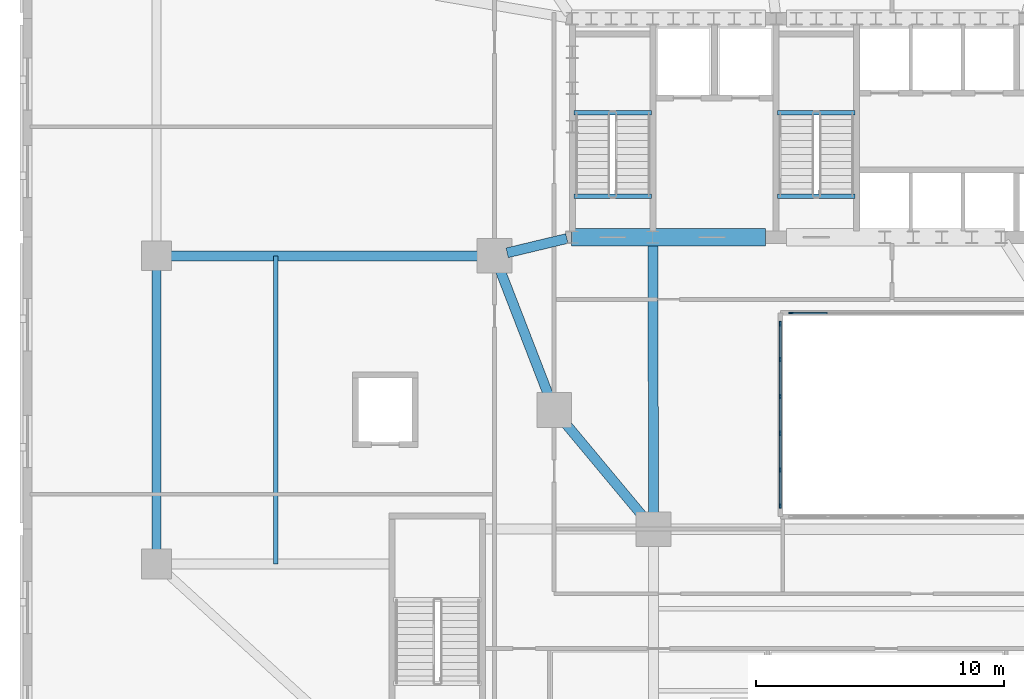
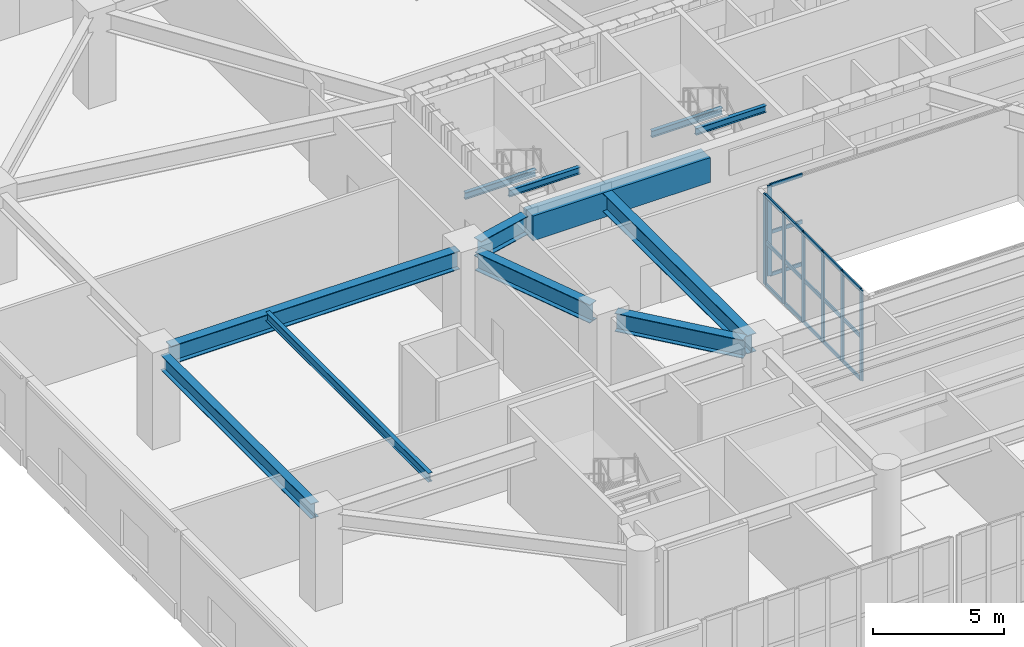
# One storey, part 4 of 25: 25 members, 12 beams, 2 elements without a shape of their own.
"""IFC4 building model written with IfcOpenShell, lengths in metres."""

from ifc_helpers import new_model, si_unit, direction, frame, origin, origin_2d, place, context, subcontext, project, spatial, rectangle, i_section, extrude, material, material_profile, profile_set, type_object, element, aggregate, save


model = new_model("IFC4")

# Units and contexts
model_context = context("Model", 3, precision=1e-05, world=origin(), true_north=direction((0.0, 1.0)))
body_context = subcontext(model_context, "Body", "Model", "MODEL_VIEW")
ifc_project = project(units=[si_unit("LENGTHUNIT", "METRE"), si_unit("AREAUNIT", "SQUARE_METRE"), si_unit("VOLUMEUNIT", "CUBIC_METRE"), si_unit("PLANEANGLEUNIT", "RADIAN"), si_unit("MASSUNIT", "GRAM", prefix="KILO")], contexts=[model_context])

# Site, building, storey
site_placement = place(None, origin())
site = spatial("IfcSite", under=ifc_project, at=site_placement, CompositionType="ELEMENT")
building_placement = place(site_placement, origin())
building = spatial("IfcBuilding", under=site, at=building_placement, Name="Haldorwick Loom Tower", CompositionType="ELEMENT")
storey_placement = place(building_placement, frame((0.0, 0.0, 15.0)))
storey = spatial("IfcBuildingStorey", under=building, at=storey_placement, Name="L03", CompositionType="ELEMENT", Elevation=15.0)

# Curtain wall, member
ifc_material_1 = material(Name="Thermally Broken Anodized Aluminium Curtain Wall Framing", Category="aluminium")
curtain_wall_type = type_object("IfcCurtainWallType", Name="ARC-CW-03", PredefinedType="NOTDEFINED", material=ifc_material_1)
curtain_wall_1_placement = place(storey_placement, origin())
curtain_wall_1 = element("IfcCurtainWall", 1, at=curtain_wall_1_placement, inside=storey, type_object=curtain_wall_type, Name="L03 Atrium Glazed Screen N", PredefinedType="NOTDEFINED")
ifc_material_profile_1 = material_profile(ifc_material_1, rectangle(XDim=0.06591796875, YDim=0.18505859375, at=origin_2d()), Name="ALU_MUL_66X185", Category="aluminium")
ifc_profile_set_1 = profile_set([ifc_material_profile_1], Name="Thermally Broken Anodized Aluminium Curtain Wall Framing")
member_type_1 = type_object("IfcMemberType", Name="ARC-CWM-03", PredefinedType="MULLION", material=ifc_profile_set_1)
member_1_placement = place(storey_placement, frame((30.73291015625, 23.699951171875, 0.0), z_axis=(0.0, 0.0, 1.0), x_axis=(0.0, 1.0, 0.0)))
member_1 = element("IfcMember", 2, at=member_1_placement, type_object=member_type_1, Name="CW-03 mullion 1", PredefinedType="MULLION", context=body_context, shape_type="SweptSolid", body=[
    extrude(rectangle(XDim=0.06591796875, YDim=0.18505859375, at=origin_2d()), origin(), (0.0, 0.0, 1.0), 4.199951171875),
])

# Curtain wall, members
curtain_wall_2_placement = place(storey_placement, origin())
curtain_wall_2 = element("IfcCurtainWall", 3, at=curtain_wall_2_placement, inside=storey, type_object=curtain_wall_type, Name="L03 Atrium Glazed Screen W", PredefinedType="NOTDEFINED")
member_2_placement = place(storey_placement, frame((30.300048828125, 15.93310546875, 0.0), z_axis=(0.0, 0.0, 1.0), x_axis=(-1.0, 0.0, 0.0)))
member_2 = element("IfcMember", 4, at=member_2_placement, type_object=member_type_1, Name="CW-03 mullion 1", PredefinedType="MULLION", context=body_context, shape_type="SweptSolid", body=[
    extrude(rectangle(XDim=0.06591796875, YDim=0.18505859375, at=origin_2d()), origin(), (0.0, 0.0, 1.0), 4.199951171875),
])
member_3_placement = place(storey_placement, frame((30.300048828125, 17.3798828125, 0.0), z_axis=(0.0, 0.0, 1.0), x_axis=(-1.0, 0.0, 0.0)))
member_3 = element("IfcMember", 5, at=member_3_placement, type_object=member_type_1, Name="CW-03 mullion 2", PredefinedType="MULLION", context=body_context, shape_type="SweptSolid", body=[
    extrude(rectangle(XDim=0.06591796875, YDim=0.18505859375, at=origin_2d()), origin(), (0.0, 0.0, 1.0), 4.199951171875),
])
member_4_placement = place(storey_placement, frame((30.300048828125, 18.860107421875, 0.0), z_axis=(0.0, 0.0, 1.0), x_axis=(-1.0, 0.0, 0.0)))
member_4 = element("IfcMember", 6, at=member_4_placement, type_object=member_type_1, Name="CW-03 mullion 3", PredefinedType="MULLION", context=body_context, shape_type="SweptSolid", body=[
    extrude(rectangle(XDim=0.06591796875, YDim=0.18505859375, at=origin_2d()), origin(), (0.0, 0.0, 1.0), 4.199951171875),
])
member_5_placement = place(storey_placement, frame((30.300048828125, 20.340087890625, 0.0), z_axis=(0.0, 0.0, 1.0), x_axis=(-1.0, 0.0, 0.0)))
member_5 = element("IfcMember", 7, at=member_5_placement, type_object=member_type_1, Name="CW-03 mullion 4", PredefinedType="MULLION", context=body_context, shape_type="SweptSolid", body=[
    extrude(rectangle(XDim=0.06591796875, YDim=0.18505859375, at=origin_2d()), origin(), (0.0, 0.0, 1.0), 4.199951171875),
])
member_6_placement = place(storey_placement, frame((30.300048828125, 21.820068359375, 0.0), z_axis=(0.0, 0.0, 1.0), x_axis=(-1.0, 0.0, 0.0)))
member_6 = element("IfcMember", 8, at=member_6_placement, type_object=member_type_1, Name="CW-03 mullion 5", PredefinedType="MULLION", context=body_context, shape_type="SweptSolid", body=[
    extrude(rectangle(XDim=0.06591796875, YDim=0.18505859375, at=origin_2d()), origin(), (0.0, 0.0, 1.0), 4.199951171875),
])
member_7_placement = place(storey_placement, frame((30.300048828125, 23.26708984375, 0.0), z_axis=(0.0, 0.0, 1.0), x_axis=(-1.0, 0.0, 0.0)))
member_7 = element("IfcMember", 9, at=member_7_placement, type_object=member_type_1, Name="CW-03 mullion 6", PredefinedType="MULLION", context=body_context, shape_type="SweptSolid", body=[
    extrude(rectangle(XDim=0.06591796875, YDim=0.18505859375, at=origin_2d()), origin(), (0.0, 0.0, 1.0), 4.199951171875),
])

# Member
ifc_material_profile_2 = material_profile(ifc_material_1, rectangle(XDim=0.06591796875, YDim=0.1650390625, at=origin_2d()), Name="ALU_TRN_66X165", Category="aluminium")
ifc_profile_set_2 = profile_set([ifc_material_profile_2], Name="Thermally Broken Anodized Aluminium Curtain Wall Framing")
member_type_2 = type_object("IfcMemberType", Name="ARC-CWT-03", PredefinedType="USERDEFINED", material=ifc_profile_set_2)
member_8_placement = place(storey_placement, frame((30.76611328125, 23.699951171875, 0.032958984375), z_axis=(1.0, 0.0, 0.0), x_axis=(0.0, 1.0, 0.0)))
member_8 = element("IfcMember", 10, at=member_8_placement, type_object=member_type_2, Name="CW-03 transom 1.1", ObjectType="TRANSOM", PredefinedType="USERDEFINED", context=body_context, shape_type="SweptSolid", body=[
    extrude(rectangle(XDim=0.06591796875, YDim=0.1650390625, at=origin_2d()), origin(), (0.0, 0.0, 1.0), 1.415283203125),
])

member_9_placement = place(storey_placement, frame((30.76611328125, 23.699951171875, 2.0), z_axis=(1.0, 0.0, 0.0), x_axis=(0.0, 1.0, 0.0)))
member_9 = element("IfcMember", 11, at=member_9_placement, type_object=member_type_2, Name="CW-03 transom 1.2", ObjectType="TRANSOM", PredefinedType="USERDEFINED", context=body_context, shape_type="SweptSolid", body=[
    extrude(rectangle(XDim=0.06591796875, YDim=0.1650390625, at=origin_2d()), origin(), (0.0, 0.0, 1.0), 1.415283203125),
])

member_10_placement = place(storey_placement, frame((30.76611328125, 23.699951171875, 4.1669921875), z_axis=(1.0, 0.0, 0.0), x_axis=(0.0, 1.0, 0.0)))
member_10 = element("IfcMember", 12, at=member_10_placement, type_object=member_type_2, Name="CW-03 transom 1.3", ObjectType="TRANSOM", PredefinedType="USERDEFINED", context=body_context, shape_type="SweptSolid", body=[
    extrude(rectangle(XDim=0.06591796875, YDim=0.1650390625, at=origin_2d()), origin(), (0.0, 0.0, 1.0), 1.415283203125),
])

aggregate(curtain_wall_1, [member_1, member_8, member_9, member_10])

member_11_placement = place(storey_placement, frame((30.300048828125, 15.966064453125, 0.032958984375), z_axis=(0.0, 1.0, 0.0), x_axis=(-1.0, 0.0, 0.0)))
member_11 = element("IfcMember", 13, at=member_11_placement, type_object=member_type_2, Name="CW-03 transom 1.1", ObjectType="TRANSOM", PredefinedType="USERDEFINED", context=body_context, shape_type="SweptSolid", body=[
    extrude(rectangle(XDim=0.06591796875, YDim=0.1650390625, at=origin_2d()), origin(), (0.0, 0.0, 1.0), 1.380859375),
])

member_12_placement = place(storey_placement, frame((30.300048828125, 15.966064453125, 2.0), z_axis=(0.0, 1.0, 0.0), x_axis=(-1.0, 0.0, 0.0)))
member_12 = element("IfcMember", 14, at=member_12_placement, type_object=member_type_2, Name="CW-03 transom 1.2", ObjectType="TRANSOM", PredefinedType="USERDEFINED", context=body_context, shape_type="SweptSolid", body=[
    extrude(rectangle(XDim=0.06591796875, YDim=0.1650390625, at=origin_2d()), origin(), (0.0, 0.0, 1.0), 1.380859375),
])

member_13_placement = place(storey_placement, frame((30.300048828125, 15.966064453125, 4.1669921875), z_axis=(0.0, 1.0, 0.0), x_axis=(-1.0, 0.0, 0.0)))
member_13 = element("IfcMember", 15, at=member_13_placement, type_object=member_type_2, Name="CW-03 transom 1.3", ObjectType="TRANSOM", PredefinedType="USERDEFINED", context=body_context, shape_type="SweptSolid", body=[
    extrude(rectangle(XDim=0.06591796875, YDim=0.1650390625, at=origin_2d()), origin(), (0.0, 0.0, 1.0), 1.380859375),
])

member_14_placement = place(storey_placement, frame((30.300048828125, 17.4130859375, 0.032958984375), z_axis=(0.0, 1.0, 0.0), x_axis=(-1.0, 0.0, 0.0)))
member_14 = element("IfcMember", 16, at=member_14_placement, type_object=member_type_2, Name="CW-03 transom 2.1", ObjectType="TRANSOM", PredefinedType="USERDEFINED", context=body_context, shape_type="SweptSolid", body=[
    extrude(rectangle(XDim=0.06591796875, YDim=0.1650390625, at=origin_2d()), origin(), (0.0, 0.0, 1.0), 1.413818359375),
])

member_15_placement = place(storey_placement, frame((30.300048828125, 17.4130859375, 2.0), z_axis=(0.0, 1.0, 0.0), x_axis=(-1.0, 0.0, 0.0)))
member_15 = element("IfcMember", 17, at=member_15_placement, type_object=member_type_2, Name="CW-03 transom 2.2", ObjectType="TRANSOM", PredefinedType="USERDEFINED", context=body_context, shape_type="SweptSolid", body=[
    extrude(rectangle(XDim=0.06591796875, YDim=0.1650390625, at=origin_2d()), origin(), (0.0, 0.0, 1.0), 1.413818359375),
])

member_16_placement = place(storey_placement, frame((30.300048828125, 17.4130859375, 4.1669921875), z_axis=(0.0, 1.0, 0.0), x_axis=(-1.0, 0.0, 0.0)))
member_16 = element("IfcMember", 18, at=member_16_placement, type_object=member_type_2, Name="CW-03 transom 2.3", ObjectType="TRANSOM", PredefinedType="USERDEFINED", context=body_context, shape_type="SweptSolid", body=[
    extrude(rectangle(XDim=0.06591796875, YDim=0.1650390625, at=origin_2d()), origin(), (0.0, 0.0, 1.0), 1.413818359375),
])

member_17_placement = place(storey_placement, frame((30.300048828125, 18.89306640625, 0.032958984375), z_axis=(0.0, 1.0, 0.0), x_axis=(-1.0, 0.0, 0.0)))
member_17 = element("IfcMember", 19, at=member_17_placement, type_object=member_type_2, Name="CW-03 transom 3.1", ObjectType="TRANSOM", PredefinedType="USERDEFINED", context=body_context, shape_type="SweptSolid", body=[
    extrude(rectangle(XDim=0.06591796875, YDim=0.1650390625, at=origin_2d()), origin(), (0.0, 0.0, 1.0), 1.413818359375),
])

member_18_placement = place(storey_placement, frame((30.300048828125, 18.89306640625, 2.0), z_axis=(0.0, 1.0, 0.0), x_axis=(-1.0, 0.0, 0.0)))
member_18 = element("IfcMember", 20, at=member_18_placement, type_object=member_type_2, Name="CW-03 transom 3.2", ObjectType="TRANSOM", PredefinedType="USERDEFINED", context=body_context, shape_type="SweptSolid", body=[
    extrude(rectangle(XDim=0.06591796875, YDim=0.1650390625, at=origin_2d()), origin(), (0.0, 0.0, 1.0), 1.413818359375),
])

member_19_placement = place(storey_placement, frame((30.300048828125, 18.89306640625, 4.1669921875), z_axis=(0.0, 1.0, 0.0), x_axis=(-1.0, 0.0, 0.0)))
member_19 = element("IfcMember", 21, at=member_19_placement, type_object=member_type_2, Name="CW-03 transom 3.3", ObjectType="TRANSOM", PredefinedType="USERDEFINED", context=body_context, shape_type="SweptSolid", body=[
    extrude(rectangle(XDim=0.06591796875, YDim=0.1650390625, at=origin_2d()), origin(), (0.0, 0.0, 1.0), 1.413818359375),
])

member_20_placement = place(storey_placement, frame((30.300048828125, 20.373046875, 0.032958984375), z_axis=(0.0, 1.0, 0.0), x_axis=(-1.0, 0.0, 0.0)))
member_20 = element("IfcMember", 22, at=member_20_placement, type_object=member_type_2, Name="CW-03 transom 4.1", ObjectType="TRANSOM", PredefinedType="USERDEFINED", context=body_context, shape_type="SweptSolid", body=[
    extrude(rectangle(XDim=0.06591796875, YDim=0.1650390625, at=origin_2d()), origin(), (0.0, 0.0, 1.0), 1.4140625),
])

member_21_placement = place(storey_placement, frame((30.300048828125, 20.373046875, 2.0), z_axis=(0.0, 1.0, 0.0), x_axis=(-1.0, 0.0, 0.0)))
member_21 = element("IfcMember", 23, at=member_21_placement, type_object=member_type_2, Name="CW-03 transom 4.2", ObjectType="TRANSOM", PredefinedType="USERDEFINED", context=body_context, shape_type="SweptSolid", body=[
    extrude(rectangle(XDim=0.06591796875, YDim=0.1650390625, at=origin_2d()), origin(), (0.0, 0.0, 1.0), 1.4140625),
])

member_22_placement = place(storey_placement, frame((30.300048828125, 20.373046875, 4.1669921875), z_axis=(0.0, 1.0, 0.0), x_axis=(-1.0, 0.0, 0.0)))
member_22 = element("IfcMember", 24, at=member_22_placement, type_object=member_type_2, Name="CW-03 transom 4.3", ObjectType="TRANSOM", PredefinedType="USERDEFINED", context=body_context, shape_type="SweptSolid", body=[
    extrude(rectangle(XDim=0.06591796875, YDim=0.1650390625, at=origin_2d()), origin(), (0.0, 0.0, 1.0), 1.4140625),
])

member_23_placement = place(storey_placement, frame((30.300048828125, 21.85302734375, 0.032958984375), z_axis=(0.0, 1.0, 0.0), x_axis=(-1.0, 0.0, 0.0)))
member_23 = element("IfcMember", 25, at=member_23_placement, type_object=member_type_2, Name="CW-03 transom 5.1", ObjectType="TRANSOM", PredefinedType="USERDEFINED", context=body_context, shape_type="SweptSolid", body=[
    extrude(rectangle(XDim=0.06591796875, YDim=0.1650390625, at=origin_2d()), origin(), (0.0, 0.0, 1.0), 1.380859375),
])

member_24_placement = place(storey_placement, frame((30.300048828125, 21.85302734375, 2.0), z_axis=(0.0, 1.0, 0.0), x_axis=(-1.0, 0.0, 0.0)))
member_24 = element("IfcMember", 26, at=member_24_placement, type_object=member_type_2, Name="CW-03 transom 5.2", ObjectType="TRANSOM", PredefinedType="USERDEFINED", context=body_context, shape_type="SweptSolid", body=[
    extrude(rectangle(XDim=0.06591796875, YDim=0.1650390625, at=origin_2d()), origin(), (0.0, 0.0, 1.0), 1.380859375),
])

member_25_placement = place(storey_placement, frame((30.300048828125, 21.85302734375, 4.1669921875), z_axis=(0.0, 1.0, 0.0), x_axis=(-1.0, 0.0, 0.0)))
member_25 = element("IfcMember", 27, at=member_25_placement, type_object=member_type_2, Name="CW-03 transom 5.3", ObjectType="TRANSOM", PredefinedType="USERDEFINED", context=body_context, shape_type="SweptSolid", body=[
    extrude(rectangle(XDim=0.06591796875, YDim=0.1650390625, at=origin_2d()), origin(), (0.0, 0.0, 1.0), 1.380859375),
])

aggregate(curtain_wall_2, [member_2, member_3, member_4, member_5, member_6, member_7, member_11, member_12, member_13, member_14, member_15, member_16, member_17, member_18, member_19, member_20, member_21, member_22, member_23, member_24, member_25])

# Beams
ifc_material_2 = material(Name="Concrete C60 (60 MPa)", Category="concrete")
ifc_material_profile_3 = material_profile(ifc_material_2, rectangle(XDim=0.699951171875, YDim=1.14990234375, at=origin_2d()), Name="RC700X1150", Category="concrete")
ifc_profile_set_3 = profile_set([ifc_material_profile_3], Name="Concrete C60 (60 MPa)")
beam_type_1 = type_object("IfcBeamType", Name="STR-BM-CB1150", PredefinedType="LINTEL", material=ifc_profile_set_3)
beam_1_placement = place(storey_placement, frame((21.89990234375, 26.75, 3.625), z_axis=(1.0, 0.0, 0.0), x_axis=(0.0, 1.0, 0.0)))
element("IfcBeam", 28, at=beam_1_placement, inside=storey, type_object=beam_type_1, Name="L03 Core Coupling Beam CB-S1", PredefinedType="LINTEL", context=body_context, shape_type="SweptSolid", body=[
    extrude(rectangle(XDim=0.699951171875, YDim=1.14990234375, at=origin_2d()), origin(), (0.0, 0.0, 1.0), 7.800048828125),
])
ifc_material_3 = material(Name="Steel CSA G40.21 350W", Category="steel")
ifc_material_profile_4 = material_profile(ifc_material_3, i_section(OverallWidth=0.179931640625, OverallDepth=0.4130859375, WebThickness=0.009765625, FlangeThickness=0.01611328125, at=origin_2d()), Name="W410X74", Category="steel")
ifc_profile_set_4 = profile_set([ifc_material_profile_4], Name="Steel CSA G40.21 350W")
beam_type_2 = type_object("IfcBeamType", Name="STR-BM-J410", PredefinedType="JOIST", material=ifc_profile_set_4)
beam_2_placement = place(storey_placement, frame((10.0, 13.60009765625, 3.993408203125), z_axis=(0.0, 1.0, 0.0), x_axis=(-1.0, 0.0, 0.0)))
element("IfcBeam", 29, at=beam_2_placement, inside=storey, type_object=beam_type_2, Name="L03 Podium Secondary Joist PJ-W1", PredefinedType="JOIST", context=body_context, shape_type="SweptSolid", body=[
    extrude(i_section(OverallWidth=0.179931640625, OverallDepth=0.4130859375, WebThickness=0.009765625, FlangeThickness=0.01611328125, at=origin_2d()), origin(), (0.0, 0.0, 1.0), 12.39990234375),
])
ifc_material_profile_5 = material_profile(ifc_material_3, i_section(OverallWidth=0.35498046875, OverallDepth=0.695068359375, WebThickness=0.015380859375, FlangeThickness=0.02490234375, at=origin_2d()), Name="W690X217", Category="steel")
ifc_profile_set_5 = profile_set([ifc_material_profile_5], Name="Steel CSA G40.21 350W")
beam_type_3 = type_object("IfcBeamType", Name="STR-BM-SP690", PredefinedType="SPANDREL", material=ifc_profile_set_5)
beam_3_placement = place(storey_placement, frame((5.199951171875, 25.52001953125, 3.8525390625), z_axis=(0.0, -1.0, 0.0), x_axis=(1.0, 0.0, 0.0)))
element("IfcBeam", 30, at=beam_3_placement, inside=storey, type_object=beam_type_3, Name="L03 Podium Spandrel PSP-W2", PredefinedType="SPANDREL", context=body_context, shape_type="SweptSolid", body=[
    extrude(i_section(OverallWidth=0.35498046875, OverallDepth=0.695068359375, WebThickness=0.015380859375, FlangeThickness=0.02490234375, at=origin_2d()), origin(), (0.0, 0.0, 1.0), 11.43994140625),
])
ifc_material_profile_6 = material_profile(ifc_material_3, i_section(OverallWidth=0.166015625, OverallDepth=0.31298828125, WebThickness=0.006591796875, FlangeThickness=0.01123046875, at=origin_2d()), Name="W310X45", Category="steel")
ifc_profile_set_6 = profile_set([ifc_material_profile_6], Name="Steel CSA G40.21 350W")
beam_type_4 = type_object("IfcBeamType", Name="STR-BM-STRM", PredefinedType="BEAM", material=ifc_profile_set_6)
for number, where, z_axis, x_axis, name in (
    (31, (21.989990234375, 28.39990234375, 4.04345703125), (1.0, 0.0, 0.0), (0.0, 1.0, 0.0), "L03 Stair ST-01 Landing Edge Trimmer"),
    (32, (21.989990234375, 31.760009765625, 1.8935546875), (1.0, 0.0, 0.0), (0.0, 1.0, 0.0), "L03 Stair ST-01 Half-Landing Trimmer 1"),
    (33, (30.18994140625, 28.39990234375, 4.04345703125), (1.0, 0.0, 0.0), (0.0, 1.0, 0.0), "L03 Stair ST-03 Landing Edge Trimmer"),
    (34, (30.18994140625, 31.760009765625, 1.8935546875), (1.0, 0.0, 0.0), (0.0, 1.0, 0.0), "L03 Stair ST-03 Half-Landing Trimmer 1"),
):
    element("IfcBeam", number, at=place(storey_placement, frame(where, z_axis=z_axis, x_axis=x_axis)), inside=storey, type_object=beam_type_4, Name=name, PredefinedType="BEAM", context=body_context, shape_type="SweptSolid", body=[
        extrude(i_section(OverallWidth=0.166015625, OverallDepth=0.31298828125, WebThickness=0.006591796875, FlangeThickness=0.01123046875, at=origin_2d()), origin(), (0.0, 0.0, 1.0), 3.1201171875),
    ])
ifc_material_profile_7 = material_profile(ifc_material_3, i_section(OverallWidth=0.39990234375, OverallDepth=0.85498046875, WebThickness=0.018310546875, FlangeThickness=0.029296875, at=origin_2d()), Name="W840X299", Category="steel")
ifc_profile_set_7 = profile_set([ifc_material_profile_7], Name="Steel CSA G40.21 350W")
beam_type_5 = type_object("IfcBeamType", Name="STR-BM-W840", PredefinedType="BEAM", material=ifc_profile_set_7)
beam_4_placement = place(storey_placement, frame((21.711181640625, 26.697509765625, 3.7724609375), z_axis=(-0.97247055837, -0.233025777764, 0.0), x_axis=(0.233025777764, -0.97247055837, 0.0)))
element("IfcBeam", 35, at=beam_4_placement, inside=storey, type_object=beam_type_5, Name="L03 Podium Inner Girder INW-1", PredefinedType="BEAM", context=body_context, shape_type="SweptSolid", body=[
    extrude(i_section(OverallWidth=0.39990234375, OverallDepth=0.85498046875, WebThickness=0.018310546875, FlangeThickness=0.029296875, at=origin_2d()), origin(), (0.0, 0.0, 1.0), 2.4736328125),
])
beam_5_placement = place(storey_placement, frame((18.98779296875, 25.51513671875, 3.7724609375), z_axis=(0.360964792353, -0.93257944363, 0.0), x_axis=(0.93257944363, 0.360964792353, 0.0)))
element("IfcBeam", 36, at=beam_5_placement, inside=storey, type_object=beam_type_5, Name="L03 Podium Inner Girder INW-2", PredefinedType="BEAM", context=body_context, shape_type="SweptSolid", body=[
    extrude(i_section(OverallWidth=0.39990234375, OverallDepth=0.85498046875, WebThickness=0.018310546875, FlangeThickness=0.029296875, at=origin_2d()), origin(), (0.0, 0.0, 1.0), 5.6083984375),
])
beam_6_placement = place(storey_placement, frame((21.532958984375, 19.400390625, 3.7724609375), z_axis=(0.640193621243, -0.768213594855, 0.0), x_axis=(0.768213594855, 0.640193621243, 0.0)))
element("IfcBeam", 37, at=beam_6_placement, inside=storey, type_object=beam_type_5, Name="L03 Podium Inner Girder INW-3", PredefinedType="BEAM", context=body_context, shape_type="SweptSolid", body=[
    extrude(i_section(OverallWidth=0.39990234375, OverallDepth=0.85498046875, WebThickness=0.018310546875, FlangeThickness=0.029296875, at=origin_2d()), origin(), (0.0, 0.0, 1.0), 5.208251953125),
])
beam_7_placement = place(storey_placement, frame((25.198974609375, 15.449951171875, 3.7724609375), z_axis=(-0.00255714174, 0.999996730508, 0.0), x_axis=(-0.999996730508, -0.00255714174, 0.0)))
element("IfcBeam", 38, at=beam_7_placement, inside=storey, type_object=beam_type_5, Name="L03 Podium Primary Girder PG-04", PredefinedType="BEAM", context=body_context, shape_type="SweptSolid", body=[
    extrude(i_section(OverallWidth=0.39990234375, OverallDepth=0.85498046875, WebThickness=0.018310546875, FlangeThickness=0.029296875, at=origin_2d()), origin(), (0.0, 0.0, 1.0), 11.074951171875),
])
beam_8_placement = place(storey_placement, frame((5.64990234375, 26.0, 3.7724609375), z_axis=(1.0, 0.0, 0.0), x_axis=(0.0, 1.0, 0.0)))
element("IfcBeam", 39, at=beam_8_placement, inside=storey, type_object=beam_type_5, Name="L03 Podium Primary Girder PG-08", PredefinedType="BEAM", context=body_context, shape_type="SweptSolid", body=[
    extrude(i_section(OverallWidth=0.39990234375, OverallDepth=0.85498046875, WebThickness=0.018310546875, FlangeThickness=0.029296875, at=origin_2d()), origin(), (0.0, 0.0, 1.0), 12.7001953125),
])

save(model, "model.ifc")
